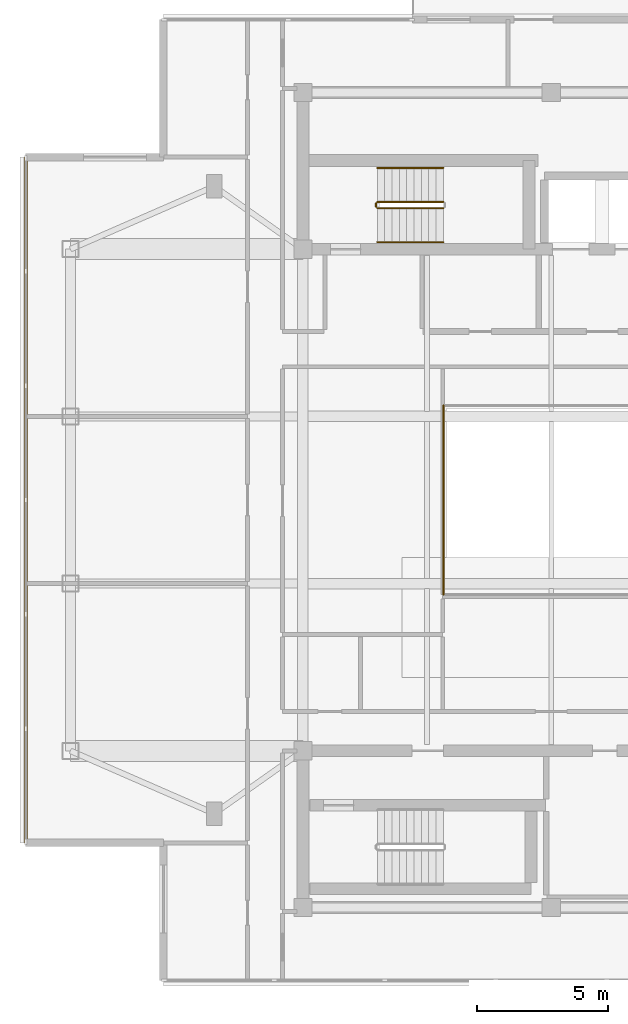
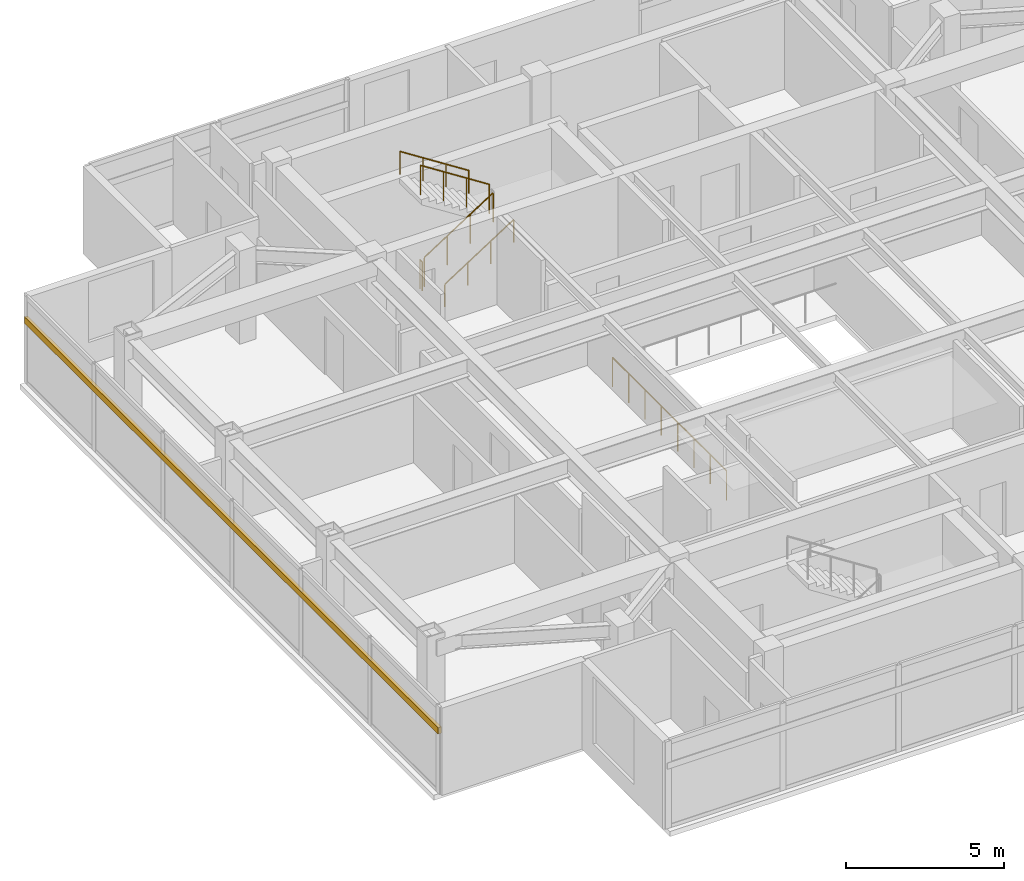
# One storey, part 10 of 12: 6 railings, 1 shading device.
"""IFC4 building model written with IfcOpenShell, lengths in metres."""

from ifc_helpers import new_model, si_unit, direction, frame, origin, origin_2d, place, context, subcontext, project, spatial, rectangle, circle, extrude, material, material_profile, profile_set, type_object, element, save


model = new_model("IFC4")

# Units and contexts
model_context = context("Model", 3, precision=1e-05, world=origin(), true_north=direction((0.0, 1.0)))
body_context = subcontext(model_context, "Body", "Model", "MODEL_VIEW")
ifc_project = project(units=[si_unit("LENGTHUNIT", "METRE"), si_unit("AREAUNIT", "SQUARE_METRE"), si_unit("VOLUMEUNIT", "CUBIC_METRE"), si_unit("PLANEANGLEUNIT", "RADIAN"), si_unit("MASSUNIT", "GRAM", prefix="KILO")], contexts=[model_context])

# Site, building, storey
site_placement = place(None, origin())
site = spatial("IfcSite", under=ifc_project, at=site_placement, CompositionType="ELEMENT")
building_placement = place(site_placement, origin())
building = spatial("IfcBuilding", under=site, at=building_placement, Name="Mirazonda Arch Towers", CompositionType="ELEMENT")
storey_placement = place(building_placement, frame((0.0, 0.0, 252.699951171875)))
storey = spatial("IfcBuildingStorey", under=building, at=storey_placement, Name="L72", CompositionType="ELEMENT", Elevation=252.699951171875)

# Shading device
ifc_material_1 = material(Name="Kiln-Fired Architectural Terracotta", Category="masonry")
ifc_material_profile = material_profile(ifc_material_1, rectangle(XDim=0.1201171875, YDim=0.239990234375, at=origin_2d()), Name="TERRA-BAG-120x240")
ifc_profile_set = profile_set([ifc_material_profile], Name="Kiln-Fired Architectural Terracotta")
shading_device_type = type_object("IfcShadingDeviceType", Name="BAGUETTE-1", PredefinedType="USERDEFINED", material=ifc_profile_set)
shading_device_placement = place(storey_placement, frame((0.389892578125, 41.123046875, 2.43359375), z_axis=(0.0, -1.0, 0.0), x_axis=(1.0, 0.0, 0.0)))
element("IfcShadingDevice", 1, at=shading_device_placement, inside=storey, type_object=shading_device_type, Name="L72 Glazed Terracotta Sun-Screen Baguette CW-L72-T1-W", ObjectType="BAGUETTE", PredefinedType="USERDEFINED", context=body_context, shape_type="SweptSolid", body=[
    extrude(rectangle(XDim=0.1201171875, YDim=0.239990234375, at=origin_2d()), origin(), (0.0, 0.0, 1.0), 26.24609375),
])

# Railings
ifc_material_2 = material(Name="Insulated Low-E Solar Glass", Category="glass")
railing_type_1 = type_object("IfcRailingType", Name="BALUSTRADE-ATRIUM-1150", PredefinedType="BALUSTRADE", material=ifc_material_2)
railing_1_placement = place(storey_placement, frame((16.3798828125, 31.6201171875, 0.0)))
element("IfcRailing", 2, at=railing_1_placement, inside=storey, type_object=railing_type_1, Name="L72 L72 Sky-Lookout Oculus Balustrade 04", PredefinedType="BALUSTRADE", context=body_context, shape_type="SweptSolid", body=[
    extrude(circle(Radius=0.02392578125, at=origin_2d()), frame((0.0, 0.0, 1.1259765625), z_axis=(0.0, -1.0, 0.0), x_axis=(1.0, 0.0, 0.0)), (0.0, 0.0, 1.0), 7.240234375),
    extrude(circle(Radius=0.02099609375, at=origin_2d()), origin(), (0.0, 0.0, 1.0), 1.101806640625),
    extrude(circle(Radius=0.02099609375, at=origin_2d()), frame((0.0, -1.034423828125, 0.0)), (0.0, 0.0, 1.0), 1.101806640625),
    extrude(circle(Radius=0.02099609375, at=origin_2d()), frame((0.0, -2.068603515625, 0.0)), (0.0, 0.0, 1.0), 1.101806640625),
    extrude(circle(Radius=0.02099609375, at=origin_2d()), frame((0.0, -3.10302734375, 0.0)), (0.0, 0.0, 1.0), 1.101806640625),
    extrude(circle(Radius=0.02099609375, at=origin_2d()), frame((0.0, -4.13720703125, 0.0)), (0.0, 0.0, 1.0), 1.101806640625),
    extrude(circle(Radius=0.02099609375, at=origin_2d()), frame((0.0, -5.171630859375, 0.0)), (0.0, 0.0, 1.0), 1.101806640625),
    extrude(circle(Radius=0.02099609375, at=origin_2d()), frame((0.0, -6.205810546875, 0.0)), (0.0, 0.0, 1.0), 1.101806640625),
    extrude(circle(Radius=0.02099609375, at=origin_2d()), frame((0.0, -7.240234375, 0.0)), (0.0, 0.0, 1.0), 1.101806640625),
])
ifc_material_3 = material(Name="Architectural Brushed Steel S355", Category="steel")
railing_type_2 = type_object("IfcRailingType", Name="GUARD-STAIR-1120", PredefinedType="GUARDRAIL", material=ifc_material_3)
railing_2_placement = place(storey_placement, frame((13.85009765625, 39.169921875, 0.179931640625)))
element("IfcRailing", 3, at=railing_2_placement, inside=storey, type_object=railing_type_2, Name="L72 ST-T1N stair guard 1", PredefinedType="GUARDRAIL", context=body_context, shape_type="SweptSolid", body=[
    extrude(circle(Radius=0.02392578125, at=origin_2d()), frame((0.0, 0.0, 1.1259765625), z_axis=(0.841162588446, 0.0, 0.540782303519), x_axis=(0.0, 1.0, 0.0)), (0.0, 0.0, 1.0), 2.995849609375),
    extrude(circle(Radius=0.02099609375, at=origin_2d()), origin(), (0.0, 0.0, 1.0), 1.101806640625),
    extrude(circle(Radius=0.02099609375, at=origin_2d()), frame((0.840087890625, 0.0, 0.5400390625)), (0.0, 0.0, 1.0), 1.101806640625),
    extrude(circle(Radius=0.02099609375, at=origin_2d()), frame((1.679931640625, 0.0, 1.080078125)), (0.0, 0.0, 1.0), 1.101806640625),
    extrude(circle(Radius=0.02099609375, at=origin_2d()), frame((2.52001953125, 0.0, 1.6201171875)), (0.0, 0.0, 1.0), 1.101806640625),
])
railing_3_placement = place(storey_placement, frame((16.3701171875, 39.409912109375, 1.97998046875)))
element("IfcRailing", 4, at=railing_3_placement, inside=storey, type_object=railing_type_2, Name="L72 ST-T1N stair guard 3", PredefinedType="GUARDRAIL", context=body_context, shape_type="SweptSolid", body=[
    extrude(circle(Radius=0.02392578125, at=origin_2d()), frame((0.0, 0.0, 1.1259765625), z_axis=(-0.841162588446, 0.0, 0.540782303519), x_axis=(0.0, -1.0, 0.0)), (0.0, 0.0, 1.0), 2.995849609375),
    extrude(circle(Radius=0.02099609375, at=origin_2d()), origin(), (0.0, 0.0, 1.0), 1.101806640625),
    extrude(circle(Radius=0.02099609375, at=origin_2d()), frame((-0.840087890625, 0.0, 0.5400390625)), (0.0, 0.0, 1.0), 1.101806640625),
    extrude(circle(Radius=0.02099609375, at=origin_2d()), frame((-1.679931640625, 0.0, 1.080078125)), (0.0, 0.0, 1.0), 1.101806640625),
    extrude(circle(Radius=0.02099609375, at=origin_2d()), frame((-2.52001953125, 0.0, 1.6201171875)), (0.0, 0.0, 1.0), 1.101806640625),
])
railing_4_placement = place(storey_placement, frame((13.800048828125, 39.219970703125, 0.0)))
element("IfcRailing", 5, at=railing_4_placement, inside=storey, type_object=railing_type_2, Name="L72 ST-T1N stair guard 4", PredefinedType="GUARDRAIL", context=body_context, shape_type="SweptSolid", body=[
    extrude(circle(Radius=0.02392578125, at=origin_2d()), frame((0.0, 0.0, 1.1259765625), z_axis=(0.0, 1.0, 0.0), x_axis=(-1.0, 0.0, 0.0)), (0.0, 0.0, 1.0), 0.14013671875),
    extrude(circle(Radius=0.02099609375, at=origin_2d()), origin(), (0.0, 0.0, 1.0), 1.101806640625),
    extrude(circle(Radius=0.02099609375, at=origin_2d()), frame((0.0, 0.14013671875, 0.0)), (0.0, 0.0, 1.0), 1.101806640625),
])
railing_type_3 = type_object("IfcRailingType", Name="HANDRAIL-915", PredefinedType="HANDRAIL", material=ifc_material_3)
railing_5_placement = place(storey_placement, frame((13.85009765625, 37.8701171875, 0.179931640625)))
element("IfcRailing", 6, at=railing_5_placement, inside=storey, type_object=railing_type_3, Name="L72 ST-T1N stair handrail 1", PredefinedType="HANDRAIL", context=body_context, shape_type="SweptSolid", body=[
    extrude(circle(Radius=0.02392578125, at=origin_2d()), frame((0.0, 0.0, 0.8759765625), z_axis=(0.841162588446, 0.0, 0.540782303519), x_axis=(0.0, 1.0, 0.0)), (0.0, 0.0, 1.0), 2.995849609375),
    extrude(circle(Radius=0.02099609375, at=origin_2d()), origin(), (0.0, 0.0, 1.0), 0.851806640625),
    extrude(circle(Radius=0.02099609375, at=origin_2d()), frame((0.840087890625, 0.0, 0.5400390625)), (0.0, 0.0, 1.0), 0.851806640625),
    extrude(circle(Radius=0.02099609375, at=origin_2d()), frame((1.679931640625, 0.0, 1.080078125)), (0.0, 0.0, 1.0), 0.851806640625),
    extrude(circle(Radius=0.02099609375, at=origin_2d()), frame((2.52001953125, 0.0, 1.6201171875)), (0.0, 0.0, 1.0), 0.851806640625),
])
railing_6_placement = place(storey_placement, frame((16.3701171875, 40.7099609375, 1.97998046875)))
element("IfcRailing", 7, at=railing_6_placement, inside=storey, type_object=railing_type_3, Name="L72 ST-T1N stair handrail 2", PredefinedType="HANDRAIL", context=body_context, shape_type="SweptSolid", body=[
    extrude(circle(Radius=0.02392578125, at=origin_2d()), frame((0.0, 0.0, 0.8759765625), z_axis=(-0.841162588446, 0.0, 0.540782303519), x_axis=(0.0, -1.0, 0.0)), (0.0, 0.0, 1.0), 2.995849609375),
    extrude(circle(Radius=0.02099609375, at=origin_2d()), origin(), (0.0, 0.0, 1.0), 0.851806640625),
    extrude(circle(Radius=0.02099609375, at=origin_2d()), frame((-0.840087890625, 0.0, 0.5400390625)), (0.0, 0.0, 1.0), 0.851806640625),
    extrude(circle(Radius=0.02099609375, at=origin_2d()), frame((-1.679931640625, 0.0, 1.080078125)), (0.0, 0.0, 1.0), 0.851806640625),
    extrude(circle(Radius=0.02099609375, at=origin_2d()), frame((-2.52001953125, 0.0, 1.6201171875)), (0.0, 0.0, 1.0), 0.851806640625),
])

save(model, "model.ifc")
